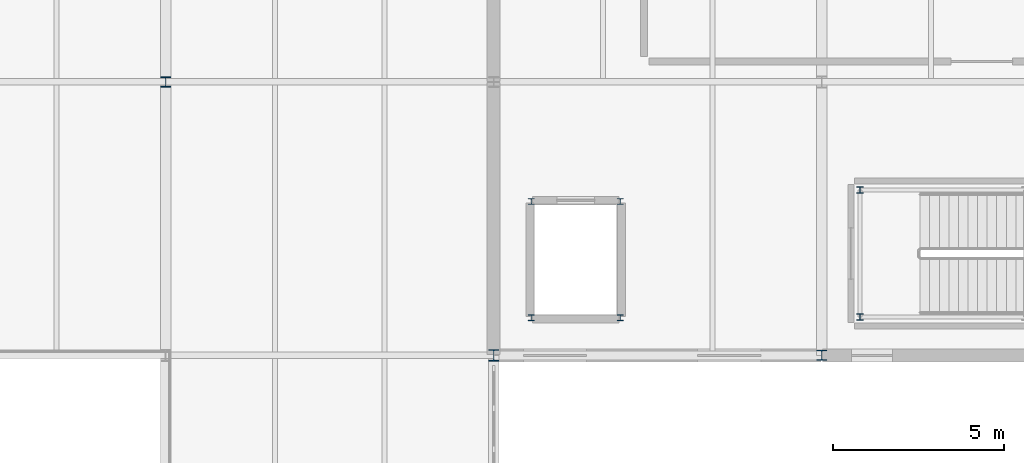
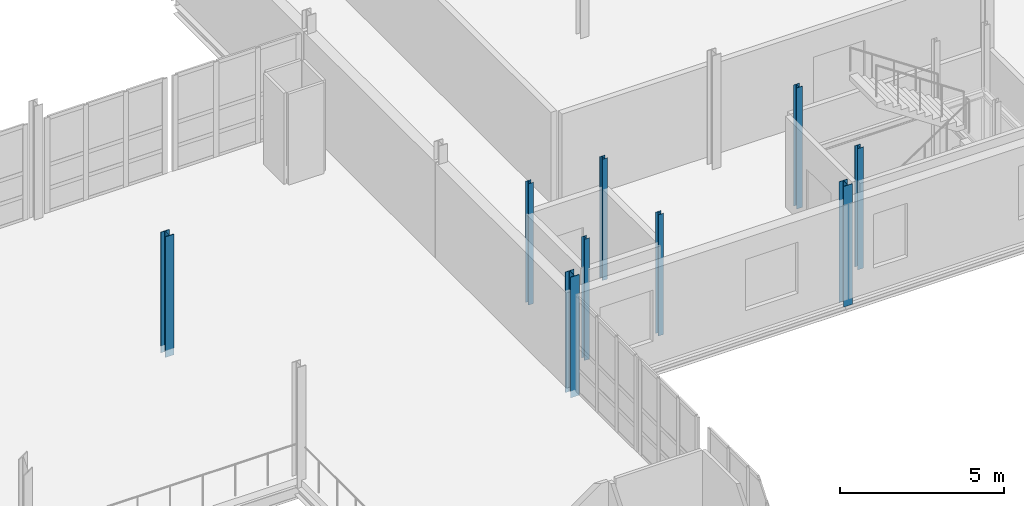
# One storey, part 11 of 73: 9 columns.
"""IFC4 building model written with IfcOpenShell, lengths in metres."""

from ifc_helpers import new_model, si_unit, direction, frame, origin, origin_2d, place, context, subcontext, project, spatial, i_section, extrude, material, material_profile, profile_set, type_object, element, save


model = new_model("IFC4")

# Units and contexts
model_context = context("Model", 3, precision=1e-05, world=origin(), true_north=direction((0.0, 1.0)))
body_context = subcontext(model_context, "Body", "Model", "MODEL_VIEW")
ifc_project = project(units=[si_unit("LENGTHUNIT", "METRE"), si_unit("AREAUNIT", "SQUARE_METRE"), si_unit("VOLUMEUNIT", "CUBIC_METRE"), si_unit("PLANEANGLEUNIT", "RADIAN"), si_unit("MASSUNIT", "GRAM", prefix="KILO")], contexts=[model_context])

# Site, building, storey
site_placement = place(None, origin())
site = spatial("IfcSite", under=ifc_project, at=site_placement, CompositionType="ELEMENT")
building_placement = place(site_placement, origin())
building = spatial("IfcBuilding", under=site, at=building_placement, Name="Alderhovde Museum", CompositionType="ELEMENT")
storey_placement = place(building_placement, frame((0.0, 0.0, 12.89990234375)))
storey = spatial("IfcBuildingStorey", under=building, at=storey_placement, Name="L03", CompositionType="ELEMENT", Elevation=12.89990234375)

# Columns
ifc_material_1 = material(Name="Steel S355J2", Category="steel")
ifc_material_profile_1 = material_profile(ifc_material_1, i_section(OverallWidth=0.179931640625, OverallDepth=0.1708984375, WebThickness=0.006103515625, FlangeThickness=0.009521484375, FilletRadius=0.014892578125, at=origin_2d()), Name="HEA 180")
ifc_profile_set_1 = profile_set([ifc_material_profile_1], Name="Steel S355J2")
column_type_1 = type_object("IfcColumnType", Name="COL-HEA180", PredefinedType="COLUMN", material=ifc_profile_set_1)
for number, where, z_axis, x_axis, name in (
    (1, (116.300048828125, 73.10009765625, 0.0), (0.0, 0.0, 1.0), (1.0, 0.0, 0.0), "L03 Lift PL-03 Shaft Column 1"),
    (2, (118.89990234375, 73.10009765625, 0.0), (0.0, 0.0, 1.0), (1.0, 0.0, 0.0), "L03 Lift PL-03 Shaft Column 2"),
    (3, (118.89990234375, 76.5, 0.0), (0.0, 0.0, 1.0), (1.0, 0.0, 0.0), "L03 Lift PL-03 Shaft Column 3"),
    (4, (116.300048828125, 76.5, 0.0), (0.0, 0.0, 1.0), (1.0, 0.0, 0.0), "L03 Lift PL-03 Shaft Column 4"),
):
    element("IfcColumn", number, at=place(storey_placement, frame(where, z_axis=z_axis, x_axis=x_axis)), inside=storey, type_object=column_type_1, Name=name, PredefinedType="COLUMN", context=body_context, shape_type="SweptSolid", body=[
        extrude(i_section(OverallWidth=0.179931640625, OverallDepth=0.1708984375, WebThickness=0.006103515625, FlangeThickness=0.009521484375, FilletRadius=0.014892578125, at=origin_2d()), origin(), (0.0, 0.0, 1.0), 4.5),
    ])
ifc_material_2 = material(Name="Steel S355J2", Category="steel")
ifc_material_profile_2 = material_profile(ifc_material_2, i_section(OverallWidth=0.199951171875, OverallDepth=0.18994140625, WebThickness=0.006591796875, FlangeThickness=0.010009765625, FilletRadius=0.01806640625, at=origin_2d()), Name="HEA 200")
ifc_profile_set_2 = profile_set([ifc_material_profile_2], Name="Steel S355J2")
column_type_2 = type_object("IfcColumnType", Name="COL-HEA200", PredefinedType="COLUMN", material=ifc_profile_set_2)
for number, where, z_axis, x_axis, name in (
    (5, (125.919921875, 73.1201171875, 0.0), (0.0, 0.0, 1.0), (1.0, 0.0, 0.0), "L03 Stair ST4 Shaft Column 1"),
    (6, (125.919921875, 76.840087890625, 0.0), (0.0, 0.0, 1.0), (1.0, 0.0, 0.0), "L03 Stair ST4 Shaft Column 4"),
):
    element("IfcColumn", number, at=place(storey_placement, frame(where, z_axis=z_axis, x_axis=x_axis)), inside=storey, type_object=column_type_2, Name=name, PredefinedType="COLUMN", context=body_context, shape_type="SweptSolid", body=[
        extrude(i_section(OverallWidth=0.199951171875, OverallDepth=0.18994140625, WebThickness=0.006591796875, FlangeThickness=0.010009765625, FilletRadius=0.01806640625, at=origin_2d()), origin(), (0.0, 0.0, 1.0), 4.5),
    ])
ifc_material_3 = material(Name="Steel S355J2", Category="steel")
ifc_material_profile_3 = material_profile(ifc_material_3, i_section(OverallWidth=0.300048828125, OverallDepth=0.300048828125, WebThickness=0.010986328125, FlangeThickness=0.01904296875, FilletRadius=0.027099609375, at=origin_2d()), Name="HEB 300")
ifc_profile_set_3 = profile_set([ifc_material_profile_3], Name="Steel S355J2")
column_type_3 = type_object("IfcColumnType", Name="COL-HEB300", PredefinedType="COLUMN", material=ifc_profile_set_3)
for number, where, z_axis, x_axis, name in (
    (7, (105.60009765625, 80.0, -0.260009765625), (0.0, 0.0, 1.0), (1.0, 0.0, 0.0), "L03 Column (105.6, 80.0)"),
    (8, (124.800048828125, 72.0, -0.260009765625), (0.0, 0.0, 1.0), (1.0, 0.0, 0.0), "L03 Column (124.8, 72.0)"),
):
    element("IfcColumn", number, at=place(storey_placement, frame(where, z_axis=z_axis, x_axis=x_axis)), inside=storey, type_object=column_type_3, Name=name, PredefinedType="COLUMN", context=body_context, shape_type="SweptSolid", body=[
        extrude(i_section(OverallWidth=0.300048828125, OverallDepth=0.300048828125, WebThickness=0.010986328125, FlangeThickness=0.01904296875, FilletRadius=0.027099609375, at=origin_2d()), origin(), (0.0, 0.0, 1.0), 4.480224609375),
    ])
ifc_material_4 = material(Name="Steel S355J2", Category="steel")
ifc_material_profile_4 = material_profile(ifc_material_4, i_section(OverallWidth=0.300048828125, OverallDepth=0.340087890625, WebThickness=0.011962890625, FlangeThickness=0.021484375, FilletRadius=0.027099609375, at=origin_2d()), Name="HEB 340")
ifc_profile_set_4 = profile_set([ifc_material_profile_4], Name="Steel S355J2")
column_type_4 = type_object("IfcColumnType", Name="COL-HEB340", PredefinedType="COLUMN", material=ifc_profile_set_4)
column_placement = place(storey_placement, frame((115.199951171875, 72.0, -0.260009765625), z_axis=(0.0, 0.0, 1.0), x_axis=(1.0, 0.0, 0.0)))
element("IfcColumn", 9, at=column_placement, inside=storey, type_object=column_type_4, Name="L03 Column (115.2, 72.0)", PredefinedType="COLUMN", context=body_context, shape_type="SweptSolid", body=[
    extrude(i_section(OverallWidth=0.300048828125, OverallDepth=0.340087890625, WebThickness=0.011962890625, FlangeThickness=0.021484375, FilletRadius=0.027099609375, at=origin_2d()), origin(), (0.0, 0.0, 1.0), 4.480224609375),
])

save(model, "model.ifc")
